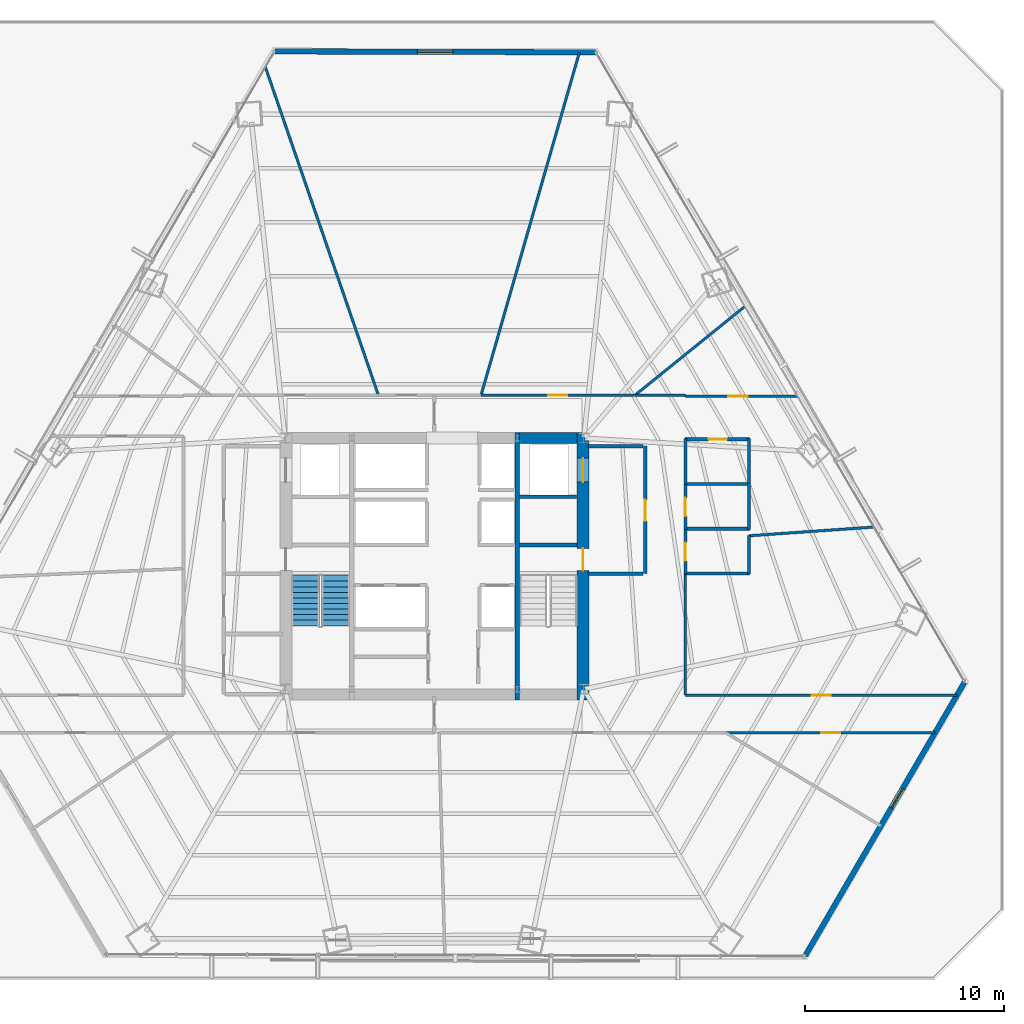
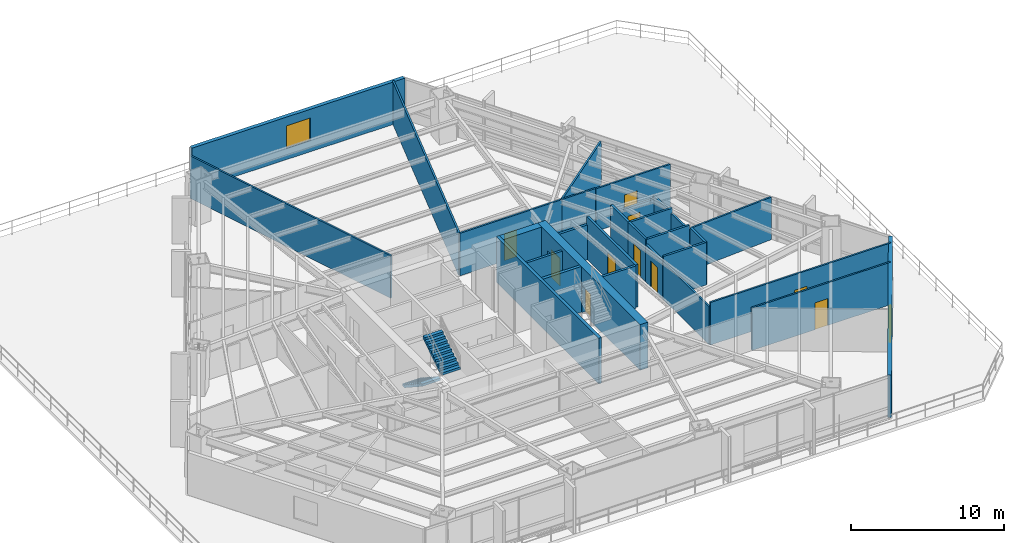
# One storey, part 30 of 35: 30 walls, 11 doors, 2 stair flights, 1 window, 12 openings, 1 element without a shape of its own.
"""IFC4 building model written with IfcOpenShell, lengths in metres."""

from ifc_helpers import new_model, si_unit, direction, frame, frame_2d, origin, place, context, subcontext, project, spatial, polyline, rectangle, outline, extrude, material, layer, layer_set, type_object, element, fill, aggregate, save


model = new_model("IFC4")

# Units and contexts
model_context = context("Model", 3, precision=1e-05, world=origin(), true_north=direction((0.0, 1.0)))
body_context = subcontext(model_context, "Body", "Model", "MODEL_VIEW")
ifc_project = project(units=[si_unit("LENGTHUNIT", "METRE"), si_unit("AREAUNIT", "SQUARE_METRE"), si_unit("VOLUMEUNIT", "CUBIC_METRE"), si_unit("PLANEANGLEUNIT", "RADIAN"), si_unit("MASSUNIT", "GRAM", prefix="KILO")], contexts=[model_context])

# Site, building, storey
site_placement = place(None, origin())
site = spatial("IfcSite", under=ifc_project, at=site_placement, CompositionType="ELEMENT")
building_placement = place(site_placement, origin())
building = spatial("IfcBuilding", under=site, at=building_placement, Name="Caelisora Broadcast Tower", CompositionType="ELEMENT")
storey_placement = place(building_placement, frame((0.0, 0.0, 27.60009765625)))
storey = spatial("IfcBuildingStorey", under=building, at=storey_placement, Name="L06", CompositionType="ELEMENT", Elevation=27.60009765625)

# Wall, openings, doors
ifc_material_1 = material(Name="Concrete 65 MPa (AS 3600 S65)", Category="concrete")
ifc_layer_1 = layer(ifc_material_1, 0.60009765625, Name="Concrete 65 MPa (AS 3600 S65)")
ifc_layer_set_1 = layer_set([ifc_layer_1], Name="Concrete 65 MPa (AS 3600 S65)")
wall_type_1 = type_object("IfcWallType", Name="CW1", PredefinedType="SHEAR", material=ifc_layer_set_1)
wall_1_placement = place(storey_placement, frame((45.4599609375, 16.85009765625, 0.0), z_axis=(0.0, 0.0, 1.0), x_axis=(0.0, 1.0, 0.0)))
wall_1 = element("IfcWall", 1, at=wall_1_placement, inside=storey, type_object=wall_type_1, Name="L06 core shear wall CW1", PredefinedType="SHEAR", context=body_context, shape_type="SweptSolid", body=[
    extrude(rectangle(XDim=13.4248046875, YDim=0.60009765625, at=frame_2d((6.71240234375, 0.0))), origin(), (0.0, 0.0, 1.0), 3.64990234375),
])
opening_1_placement = place(wall_1_placement, frame((6.5, 0.0, 0.0)))
opening_1 = element("IfcOpeningElement", 2, at=opening_1_placement, cuts=wall_1, Name="Opening FD04", PredefinedType="OPENING", context=body_context, shape_type="SweptSolid", body=[
    extrude(rectangle(XDim=1.1201171875, YDim=2.14990234375, at=frame_2d((0.56005859375, 1.074951171875))), frame((0.0, 0.31201171875, 0.0), z_axis=(0.0, -1.0, 0.0), x_axis=(1.0, 0.0, 0.0)), (0.0, 0.0, 1.0), 0.6240234375),
])
opening_2_placement = place(wall_1_placement, frame((10.949951171875, 0.0, 0.0)))
opening_2 = element("IfcOpeningElement", 3, at=opening_2_placement, cuts=wall_1, Name="Opening LD04", PredefinedType="OPENING", context=body_context, shape_type="SweptSolid", body=[
    extrude(rectangle(XDim=1.199951171875, YDim=2.199951171875, at=frame_2d((0.60009765625, 1.10009765625))), frame((0.0, 0.31201171875, 0.0), z_axis=(0.0, -1.0, 0.0), x_axis=(1.0, 0.0, 0.0)), (0.0, 0.0, 1.0), 0.6240234375),
])
ifc_material_2 = material(Name="Pressurised Fire-Isolated Stair Door", Category="steel")
door_type_1 = type_object("IfcDoorType", Name="FD04", OperationType="NOTDEFINED", PredefinedType="DOOR", material=ifc_material_2)
door_1_placement = place(opening_1_placement, origin())
door_1 = element("IfcDoor", 4, at=door_1_placement, inside=storey, type_object=door_type_1, Name="L06 door FD04 (L06-DR-ST2)", OperationType="SINGLE_SWING_RIGHT", OverallHeight=2.14990234375, OverallWidth=1.1201171875, PredefinedType="DOOR", context=body_context, shape_type="SweptSolid", body=[
    extrude(rectangle(XDim=1.1201171875, YDim=2.14990234375, at=frame_2d((0.56005859375, 1.074951171875))), frame((0.0, 0.02490234375, 0.0), z_axis=(0.0, -1.0, 0.0), x_axis=(1.0, 0.0, 0.0)), (0.0, 0.0, 1.0), 0.050048828125),
])
fill(opening_1, door_1)
ifc_material_3 = material(Name="Emergency Firefighting Lift Sliding Landing Door", Category="steel")
door_type_2 = type_object("IfcDoorType", Name="LD04", OperationType="NOTDEFINED", PredefinedType="DOOR", material=ifc_material_3)
door_2_placement = place(opening_2_placement, origin())
door_2 = element("IfcDoor", 5, at=door_2_placement, inside=storey, type_object=door_type_2, Name="L06 door LD04 (L06-LD-FFL2)", OperationType="SLIDING_TO_RIGHT", OverallHeight=2.199951171875, OverallWidth=1.199951171875, PredefinedType="DOOR", context=body_context, shape_type="SweptSolid", body=[
    extrude(rectangle(XDim=1.199951171875, YDim=2.199951171875, at=frame_2d((0.60009765625, 1.10009765625))), frame((0.0, 0.02490234375, 0.0), z_axis=(0.0, -1.0, 0.0), x_axis=(1.0, 0.0, 0.0)), (0.0, 0.0, 1.0), 0.050048828125),
])
fill(opening_2, door_2)

# Walls
ifc_layer_2 = layer(ifc_material_1, 0.550048828125, Name="Concrete 65 MPa (AS 3600 S65)")
ifc_layer_set_2 = layer_set([ifc_layer_2], Name="Concrete 65 MPa (AS 3600 S65)")
wall_type_2 = type_object("IfcWallType", Name="CW4", PredefinedType="SHEAR", material=ifc_layer_set_2)
wall_2_placement = place(storey_placement, frame((42.260009765625, 30.0, 0.0), z_axis=(0.0, 0.0, 1.0), x_axis=(1.0, 0.0, 0.0)))
element("IfcWall", 6, at=wall_2_placement, inside=storey, type_object=wall_type_2, Name="L06 core shear wall CW4", PredefinedType="SHEAR", context=body_context, shape_type="SweptSolid", body=[
    extrude(rectangle(XDim=2.89990234375, YDim=0.550048828125, at=frame_2d((1.449951171875, 0.0))), origin(), (0.0, 0.0, 1.0), 3.64990234375),
])
ifc_material_4 = material(Name="Concrete 50 MPa (AS 3600 S50)", Category="concrete")
ifc_layer_3 = layer(ifc_material_4, 0.219970703125, Name="Concrete 50 MPa (AS 3600 S50)")
ifc_layer_set_3 = layer_set([ifc_layer_3], Name="Concrete 50 MPa (AS 3600 S50)")
wall_type_3 = type_object("IfcWallType", Name="CW7", PredefinedType="SHEAR", material=ifc_layer_set_3)
wall_3_placement = place(storey_placement, frame((42.14990234375, 16.85009765625, 0.0), z_axis=(0.0, 0.0, 1.0), x_axis=(0.0, 1.0, 0.0)))
element("IfcWall", 7, at=wall_3_placement, inside=storey, type_object=wall_type_3, Name="L06 core shear wall CW7", PredefinedType="SHEAR", context=body_context, shape_type="SweptSolid", body=[
    extrude(rectangle(XDim=13.4248046875, YDim=0.219970703125, at=frame_2d((6.71240234375, 0.0))), origin(), (0.0, 0.0, 1.0), 3.64990234375),
])
wall_4_placement = place(storey_placement, frame((42.260009765625, 24.639892578125, 0.0), z_axis=(0.0, 0.0, 1.0), x_axis=(1.0, 0.0, 0.0)))
element("IfcWall", 8, at=wall_4_placement, inside=storey, type_object=wall_type_3, Name="L06 core shear wall CW7", PredefinedType="SHEAR", context=body_context, shape_type="SweptSolid", body=[
    extrude(rectangle(XDim=2.89990234375, YDim=0.219970703125, at=frame_2d((1.449951171875, 0.0))), origin(), (0.0, 0.0, 1.0), 3.64990234375),
])

# Wall, opening, door
ifc_material_5 = material(Name="Insulated Terracotta Spandrel Wall System", Category="masonry")
ifc_layer_4 = layer(ifc_material_5, 0.280029296875, Name="Insulated Terracotta Spandrel Wall System")
ifc_layer_set_4 = layer_set([ifc_layer_4], Name="Insulated Terracotta Spandrel Wall System")
wall_type_4 = type_object("IfcWallType", Name="EW1", PredefinedType="STANDARD", material=ifc_layer_set_4)
wall_5_placement = place(storey_placement, frame((64.620849609375, 17.7412109375, 0.0), z_axis=(0.0, 0.0, 1.0), x_axis=(-0.503266117349, -0.864131480233, 0.0)))
wall_5 = element("IfcWall", 9, at=wall_5_placement, inside=storey, type_object=wall_type_4, Name="L06 exterior envelope wall EW1", PredefinedType="STANDARD", context=body_context, shape_type="SweptSolid", body=[
    extrude(rectangle(XDim=15.887939453125, YDim=0.280029296875, at=frame_2d((7.94384765625, 0.0))), origin(), (0.0, 0.0, 1.0), 3.39990234375),
])
opening_3_placement = place(wall_5_placement, frame((6.18994140625, 0.0, 0.0)))
opening_3 = element("IfcOpeningElement", 10, at=opening_3_placement, cuts=wall_5, Name="Opening D04", PredefinedType="OPENING", context=body_context, shape_type="SweptSolid", body=[
    extrude(rectangle(XDim=1.10009765625, YDim=2.199951171875, at=frame_2d((0.550048828125, 1.10009765625))), frame((0.0, 0.152099609375, 0.0), z_axis=(0.0, -1.0, 0.0), x_axis=(1.0, 0.0, 0.0)), (0.0, 0.0, 1.0), 0.303955078125),
])
ifc_material_6 = material(Name="Aluminium Framed Double-Glazed Terrace Door", Category="aluminium")
door_type_3 = type_object("IfcDoorType", Name="D04", OperationType="NOTDEFINED", PredefinedType="DOOR", material=ifc_material_6)
door_3_placement = place(opening_3_placement, origin())
door_3 = element("IfcDoor", 11, at=door_3_placement, inside=storey, type_object=door_type_3, Name="L06 door D04 (L06-DR-TER1)", OperationType="SINGLE_SWING_LEFT", OverallHeight=2.199951171875, OverallWidth=1.10009765625, PredefinedType="DOOR", context=body_context, shape_type="SweptSolid", body=[
    extrude(rectangle(XDim=1.10009765625, YDim=2.199951171875, at=frame_2d((0.550048828125, 1.10009765625))), frame((0.0, 0.02490234375, 0.0), z_axis=(0.0, -1.0, 0.0), x_axis=(1.0, 0.0, 0.0)), (0.0, 0.0, 1.0), 0.050048828125),
])
fill(opening_3, door_3)

# Wall, opening, window
wall_6_placement = place(storey_placement, frame((30.0, 49.42578125, 0.0), z_axis=(0.0, 0.0, 1.0), x_axis=(0.999996469255, -0.002657343894, 0.0)))
wall_6 = element("IfcWall", 12, at=wall_6_placement, inside=storey, type_object=wall_type_4, Name="L06 exterior envelope wall EW1", PredefinedType="STANDARD", context=body_context, shape_type="SweptSolid", body=[
    extrude(rectangle(XDim=16.077880859375, YDim=0.280029296875, at=frame_2d((8.0390625, 0.0))), origin(), (0.0, 0.0, 1.0), 3.39990234375),
])
opening_4_placement = place(wall_6_placement, frame((7.139892578125, 0.0, 0.89990234375)))
opening_4 = element("IfcOpeningElement", 13, at=opening_4_placement, cuts=wall_6, Name="Opening W01", PredefinedType="OPENING", context=body_context, shape_type="SweptSolid", body=[
    extrude(rectangle(XDim=1.800048828125, YDim=1.800048828125, at=frame_2d((0.89990234375, 0.89990234375))), frame((0.0, 0.152099609375, 0.0), z_axis=(0.0, -1.0, 0.0), x_axis=(1.0, 0.0, 0.0)), (0.0, 0.0, 1.0), 0.303955078125),
])
ifc_material_7 = material(Name="Double Glazed Terracotta-Framed Vision Window", Category="glass")
window_type = type_object("IfcWindowType", Name="W01", PartitioningType="SINGLE_PANEL", PredefinedType="WINDOW", material=ifc_material_7)
window_placement = place(opening_4_placement, origin())
window = element("IfcWindow", 14, at=window_placement, inside=storey, type_object=window_type, Name="L06 window W01 (L06-WN-CH8)", OverallHeight=1.800048828125, OverallWidth=1.800048828125, PartitioningType="SINGLE_PANEL", PredefinedType="WINDOW", context=body_context, shape_type="SweptSolid", body=[
    extrude(rectangle(XDim=1.800048828125, YDim=1.800048828125, at=frame_2d((0.89990234375, 0.89990234375))), frame((0.0, 0.030029296875, 0.0), z_axis=(0.0, -1.0, 0.0), x_axis=(1.0, 0.0, 0.0)), (0.0, 0.0, 1.0), 0.06005859375),
])
fill(opening_4, window)

# Wall, opening, door
ifc_material_8 = material(Name="Fire-Rated Gypsum Shaft and Compartment Wall", Category="gypsum")
ifc_layer_5 = layer(ifc_material_8, 0.179931640625, Name="Fire-Rated Gypsum Shaft and Compartment Wall")
ifc_layer_set_5 = layer_set([ifc_layer_5], Name="Fire-Rated Gypsum Shaft and Compartment Wall")
wall_type_5 = type_object("IfcWallType", Name="PW2", PredefinedType="PARTITIONING", material=ifc_layer_set_5)
wall_7_placement = place(storey_placement, frame((48.580078125, 23.199951171875, 0.0), z_axis=(0.0, 0.0, 1.0), x_axis=(0.0, 1.0, 0.0)))
wall_7 = element("IfcWall", 15, at=wall_7_placement, inside=storey, type_object=wall_type_5, Name="L06 fire compartment wall PW2", PredefinedType="PARTITIONING", context=body_context, shape_type="SweptSolid", body=[
    extrude(rectangle(XDim=6.400146484375, YDim=0.179931640625, at=frame_2d((3.2001953125, 0.0))), origin(), (0.0, 0.0, 1.0), 3.39990234375),
])
opening_5_placement = place(wall_7_placement, frame((2.64990234375, 0.0, 0.0)))
opening_5 = element("IfcOpeningElement", 16, at=opening_5_placement, cuts=wall_7, Name="Opening FD02", PredefinedType="OPENING", context=body_context, shape_type="SweptSolid", body=[
    extrude(rectangle(XDim=1.050048828125, YDim=2.14990234375, at=frame_2d((0.52490234375, 1.074951171875))), frame((0.0, 0.10205078125, 0.0), z_axis=(0.0, -1.0, 0.0), x_axis=(1.0, 0.0, 0.0)), (0.0, 0.0, 1.0), 0.203857421875),
])
ifc_material_9 = material(Name="Single-Leaf Steel Fire Lobby Door", Category="steel")
door_type_4 = type_object("IfcDoorType", Name="FD02", OperationType="NOTDEFINED", PredefinedType="DOOR", material=ifc_material_9)
door_4_placement = place(opening_5_placement, origin())
door_4 = element("IfcDoor", 17, at=door_4_placement, inside=storey, type_object=door_type_4, Name="L06 door FD02 (L06-DR-P04D1)", OperationType="SINGLE_SWING_RIGHT", OverallHeight=2.14990234375, OverallWidth=1.050048828125, PredefinedType="DOOR", context=body_context, shape_type="SweptSolid", body=[
    extrude(rectangle(XDim=1.050048828125, YDim=2.14990234375, at=frame_2d((0.52490234375, 1.074951171875))), frame((0.0, 0.02490234375, 0.0), z_axis=(0.0, -1.0, 0.0), x_axis=(1.0, 0.0, 0.0)), (0.0, 0.0, 1.0), 0.050048828125),
])
fill(opening_5, door_4)

# Walls
wall_8_placement = place(storey_placement, frame((45.719970703125, 23.199951171875, 0.0), z_axis=(0.0, 0.0, 1.0), x_axis=(1.0, 0.0, 0.0)))
element("IfcWall", 18, at=wall_8_placement, inside=storey, type_object=wall_type_5, Name="L06 fire compartment wall PW2", PredefinedType="PARTITIONING", context=body_context, shape_type="SweptSolid", body=[
    extrude(rectangle(XDim=2.760009765625, YDim=0.179931640625, at=frame_2d((1.3798828125, 0.0))), origin(), (0.0, 0.0, 1.0), 3.39990234375),
])
wall_9_placement = place(storey_placement, frame((45.719970703125, 29.60009765625, 0.0), z_axis=(0.0, 0.0, 1.0), x_axis=(1.0, 0.0, 0.0)))
element("IfcWall", 19, at=wall_9_placement, inside=storey, type_object=wall_type_5, Name="L06 fire compartment wall PW2", PredefinedType="PARTITIONING", context=body_context, shape_type="SweptSolid", body=[
    extrude(rectangle(XDim=2.760009765625, YDim=0.179931640625, at=frame_2d((1.3798828125, 0.0))), origin(), (0.0, 0.0, 1.0), 2.78271484375),
])
wall_10_placement = place(storey_placement, frame((42.239990234375, 27.070068359375, 0.0), z_axis=(0.0, 0.0, 1.0), x_axis=(1.0, 0.0, 0.0)))
element("IfcWall", 20, at=wall_10_placement, inside=storey, type_object=wall_type_5, Name="L06 fire compartment wall PW2", PredefinedType="PARTITIONING", context=body_context, shape_type="SweptSolid", body=[
    extrude(rectangle(XDim=2.89990234375, YDim=0.179931640625, at=frame_2d((1.449951171875, 0.0))), origin(), (0.0, 0.0, 1.0), 3.39990234375),
])
ifc_material_10 = material(Name="Acoustic Steel-Stud Plasterboard Partition", Category="gypsum")
ifc_layer_6 = layer(ifc_material_10, 0.1298828125, Name="Acoustic Steel-Stud Plasterboard Partition")
ifc_layer_set_6 = layer_set([ifc_layer_6], Name="Acoustic Steel-Stud Plasterboard Partition")
wall_type_6 = type_object("IfcWallType", Name="PW3", PredefinedType="PARTITIONING", material=ifc_layer_set_6)
wall_11_placement = place(storey_placement, frame((40.341064453125, 32.155029296875, 0.0), z_axis=(0.0, 0.0, 1.0), x_axis=(0.275627948864, 0.961264393289, 0.0)))
element("IfcWall", 21, at=wall_11_placement, inside=storey, type_object=wall_type_6, Name="L06 internal partition PW3", PredefinedType="PARTITIONING", context=body_context, shape_type="SweptSolid", body=[
    extrude(rectangle(XDim=17.9189453125, YDim=0.1298828125, at=frame_2d((8.95947265625, 0.0))), origin(), (0.0, 0.0, 1.0), 3.39990234375),
])
wall_12_placement = place(storey_placement, frame((29.510009765625, 48.639892578125, 0.0), z_axis=(0.0, 0.0, 1.0), x_axis=(0.325659673982, -0.945487057945, 0.0)))
element("IfcWall", 22, at=wall_12_placement, inside=storey, type_object=wall_type_6, Name="L06 internal partition PW3", PredefinedType="PARTITIONING", context=body_context, shape_type="SweptSolid", body=[
    extrude(rectangle(XDim=17.435302734375, YDim=0.1298828125, at=frame_2d((8.7177734375, 0.0))), origin(), (0.0, 0.0, 1.0), 3.39990234375),
])

# Wall, opening, door
wall_13_placement = place(storey_placement, frame((64.25, 17.10009765625, 0.0), z_axis=(0.0, 0.0, 1.0), x_axis=(-1.0, 0.0, 0.0)))
wall_13 = element("IfcWall", 23, at=wall_13_placement, inside=storey, type_object=wall_type_6, Name="L06 internal partition PW3", PredefinedType="PARTITIONING", context=body_context, shape_type="SweptSolid", body=[
    extrude(rectangle(XDim=13.64501953125, YDim=0.1298828125, at=frame_2d((6.822509765625, 0.0))), origin(), (0.0, 0.0, 1.0), 3.39990234375),
])
opening_6_placement = place(wall_13_placement, frame((6.343017578125, 0.0, 0.0)))
opening_6 = element("IfcOpeningElement", 24, at=opening_6_placement, cuts=wall_13, Name="Opening D01", PredefinedType="OPENING", context=body_context, shape_type="SweptSolid", body=[
    extrude(rectangle(XDim=0.9599609375, YDim=2.14990234375, at=frame_2d((0.47998046875, 1.074951171875))), frame((0.0, 0.076904296875, 0.0), z_axis=(0.0, -1.0, 0.0), x_axis=(1.0, 0.0, 0.0)), (0.0, 0.0, 1.0), 0.15380859375),
])
ifc_material_11 = material(Name="Solid-Core Timber Acoustic Office Door", Category="wood")
door_type_5 = type_object("IfcDoorType", Name="D01", OperationType="NOTDEFINED", PredefinedType="DOOR", material=ifc_material_11)
door_5_placement = place(opening_6_placement, origin())
door_5 = element("IfcDoor", 25, at=door_5_placement, inside=storey, type_object=door_type_5, Name="L06 door D01 (L06-DR-P30D1)", OperationType="SINGLE_SWING_RIGHT", OverallHeight=2.14990234375, OverallWidth=0.9599609375, PredefinedType="DOOR", context=body_context, shape_type="SweptSolid", body=[
    extrude(rectangle(XDim=0.9599609375, YDim=2.14990234375, at=frame_2d((0.47998046875, 1.074951171875))), frame((0.0, 0.02490234375, 0.0), z_axis=(0.0, -1.0, 0.0), x_axis=(1.0, 0.0, 0.0)), (0.0, 0.0, 1.0), 0.050048828125),
])
fill(opening_6, door_5)

wall_14_placement = place(storey_placement, frame((52.655029296875, 15.199951171875, 0.0), z_axis=(0.0, 0.0, 1.0), x_axis=(1.0, 0.0, 0.0)))
wall_14 = element("IfcWall", 26, at=wall_14_placement, inside=storey, type_object=wall_type_6, Name="L06 internal partition PW3", PredefinedType="PARTITIONING", context=body_context, shape_type="SweptSolid", body=[
    extrude(rectangle(XDim=10.48486328125, YDim=0.1298828125, at=frame_2d((5.242431640625, 0.0))), origin(), (0.0, 0.0, 1.0), 3.39990234375),
])
opening_7_placement = place(wall_14_placement, frame((4.761962890625, 0.0, 0.0)))
opening_7 = element("IfcOpeningElement", 27, at=opening_7_placement, cuts=wall_14, Name="Opening D01", PredefinedType="OPENING", context=body_context, shape_type="SweptSolid", body=[
    extrude(rectangle(XDim=0.9599609375, YDim=2.14990234375, at=frame_2d((0.47998046875, 1.074951171875))), frame((0.0, 0.076904296875, 0.0), z_axis=(0.0, -1.0, 0.0), x_axis=(1.0, 0.0, 0.0)), (0.0, 0.0, 1.0), 0.15380859375),
])
door_6_placement = place(opening_7_placement, origin())
door_6 = element("IfcDoor", 28, at=door_6_placement, inside=storey, type_object=door_type_5, Name="L06 door D01 (L06-DR-P35D1)", OperationType="SINGLE_SWING_LEFT", OverallHeight=2.14990234375, OverallWidth=0.9599609375, PredefinedType="DOOR", context=body_context, shape_type="SweptSolid", body=[
    extrude(rectangle(XDim=0.9599609375, YDim=2.14990234375, at=frame_2d((0.47998046875, 1.074951171875))), frame((0.0, 0.02490234375, 0.0), z_axis=(0.0, -1.0, 0.0), x_axis=(1.0, 0.0, 0.0)), (0.0, 0.0, 1.0), 0.050048828125),
])
fill(opening_7, door_6)

wall_15_placement = place(storey_placement, frame((40.344970703125, 32.14990234375, 0.0), z_axis=(0.0, 0.0, 1.0), x_axis=(1.0, 0.0, 0.0)))
wall_15 = element("IfcWall", 29, at=wall_15_placement, inside=storey, type_object=wall_type_6, Name="L06 internal partition PW3", PredefinedType="PARTITIONING", context=body_context, shape_type="SweptSolid", body=[
    extrude(rectangle(XDim=7.7099609375, YDim=0.1298828125, at=frame_2d((3.85498046875, 0.0))), origin(), (0.0, 0.0, 1.0), 3.39990234375),
])
opening_8_placement = place(wall_15_placement, frame((3.375, 0.0, 0.0)))
opening_8 = element("IfcOpeningElement", 30, at=opening_8_placement, cuts=wall_15, Name="Opening D01", PredefinedType="OPENING", context=body_context, shape_type="SweptSolid", body=[
    extrude(rectangle(XDim=0.9599609375, YDim=2.14990234375, at=frame_2d((0.47998046875, 1.074951171875))), frame((0.0, 0.076904296875, 0.0), z_axis=(0.0, -1.0, 0.0), x_axis=(1.0, 0.0, 0.0)), (0.0, 0.0, 1.0), 0.15380859375),
])
door_7_placement = place(opening_8_placement, origin())
door_7 = element("IfcDoor", 31, at=door_7_placement, inside=storey, type_object=door_type_5, Name="L06 door D01 (L06-DR-P40D1)", OperationType="SINGLE_SWING_RIGHT", OverallHeight=2.14990234375, OverallWidth=0.9599609375, PredefinedType="DOOR", context=body_context, shape_type="SweptSolid", body=[
    extrude(rectangle(XDim=0.9599609375, YDim=2.14990234375, at=frame_2d((0.47998046875, 1.074951171875))), frame((0.0, 0.02490234375, 0.0), z_axis=(0.0, -1.0, 0.0), x_axis=(1.0, 0.0, 0.0)), (0.0, 0.0, 1.0), 0.050048828125),
])
fill(opening_8, door_7)

# Walls
wall_16_placement = place(storey_placement, frame((48.06396484375, 32.153076171875, 0.0), z_axis=(0.0, 0.0, 1.0), x_axis=(0.777691139516, 0.628646555322, 0.0)))
element("IfcWall", 32, at=wall_16_placement, inside=storey, type_object=wall_type_6, Name="L06 internal partition PW3", PredefinedType="PARTITIONING", context=body_context, shape_type="SweptSolid", body=[
    extrude(rectangle(XDim=7.105712890625, YDim=0.1298828125, at=frame_2d((3.552734375, 0.0))), origin(), (0.0, 0.0, 1.0), 3.39990234375),
])
wall_17_placement = place(storey_placement, frame((53.804931640625, 25.10009765625, 0.0), z_axis=(0.0, 0.0, 1.0), x_axis=(0.997551418552, 0.069936881151, 0.0)))
element("IfcWall", 33, at=wall_17_placement, inside=storey, type_object=wall_type_6, Name="L06 internal partition PW3", PredefinedType="PARTITIONING", context=body_context, shape_type="SweptSolid", body=[
    extrude(rectangle(XDim=6.29052734375, YDim=0.1298828125, at=frame_2d((3.145263671875, 0.0))), origin(), (0.0, 0.0, 1.0), 3.39990234375),
])
wall_18_placement = place(storey_placement, frame((50.60009765625, 17.10498046875, 0.0), z_axis=(0.0, 0.0, 1.0), x_axis=(0.0, 1.0, 0.0)))
element("IfcWall", 34, at=wall_18_placement, inside=storey, type_object=wall_type_6, Name="L06 internal partition PW3", PredefinedType="PARTITIONING", context=body_context, shape_type="SweptSolid", body=[
    extrude(rectangle(XDim=6.090087890625, YDim=0.1298828125, at=frame_2d((3.044921875, 0.0))), origin(), (0.0, 0.0, 1.0), 3.0263671875),
])

# Wall, opening, door
wall_19_placement = place(storey_placement, frame((50.60498046875, 32.10009765625, 0.0), z_axis=(0.0, 0.0, 1.0), x_axis=(1.0, 0.0, 0.0)))
wall_19 = element("IfcWall", 35, at=wall_19_placement, inside=storey, type_object=wall_type_6, Name="L06 internal partition PW3", PredefinedType="PARTITIONING", context=body_context, shape_type="SweptSolid", body=[
    extrude(rectangle(XDim=5.635009765625, YDim=0.1298828125, at=frame_2d((2.8173828125, 0.0))), origin(), (0.0, 0.0, 1.0), 3.39990234375),
])
opening_9_placement = place(wall_19_placement, frame((2.159912109375, 0.0, 0.0)))
opening_9 = element("IfcOpeningElement", 36, at=opening_9_placement, cuts=wall_19, Name="Opening D01", PredefinedType="OPENING", context=body_context, shape_type="SweptSolid", body=[
    extrude(rectangle(XDim=0.9599609375, YDim=2.14990234375, at=frame_2d((0.47998046875, 1.074951171875))), frame((0.0, 0.076904296875, 0.0), z_axis=(0.0, -1.0, 0.0), x_axis=(1.0, 0.0, 0.0)), (0.0, 0.0, 1.0), 0.15380859375),
])
door_8_placement = place(opening_9_placement, origin())
door_8 = element("IfcDoor", 37, at=door_8_placement, inside=storey, type_object=door_type_5, Name="L06 door D01 (L06-DR-P49D1)", OperationType="SINGLE_SWING_RIGHT", OverallHeight=2.14990234375, OverallWidth=0.9599609375, PredefinedType="DOOR", context=body_context, shape_type="SweptSolid", body=[
    extrude(rectangle(XDim=0.9599609375, YDim=2.14990234375, at=frame_2d((0.47998046875, 1.074951171875))), frame((0.0, 0.02490234375, 0.0), z_axis=(0.0, -1.0, 0.0), x_axis=(1.0, 0.0, 0.0)), (0.0, 0.0, 1.0), 0.050048828125),
])
fill(opening_9, door_8)

# Walls
wall_20_placement = place(storey_placement, frame((48.06494140625, 32.14990234375, 0.0), z_axis=(0.0, 0.0, 1.0), x_axis=(1.0, 0.0, 0.0)))
element("IfcWall", 38, at=wall_20_placement, inside=storey, type_object=wall_type_6, Name="L06 internal partition PW3", PredefinedType="PARTITIONING", context=body_context, shape_type="SweptSolid", body=[
    extrude(rectangle(XDim=2.530029296875, YDim=0.1298828125, at=frame_2d((1.26513671875, 0.0))), origin(), (0.0, 0.0, 1.0), 3.39990234375),
])
ifc_material_12 = material(Name="Moisture-Resistant Wet Plumbing Service Wall", Category="gypsum")
ifc_layer_7 = layer(ifc_material_12, 0.159912109375, Name="Moisture-Resistant Wet Plumbing Service Wall")
ifc_layer_set_7 = layer_set([ifc_layer_7], Name="Moisture-Resistant Wet Plumbing Service Wall")
wall_type_7 = type_object("IfcWallType", Name="PW4", PredefinedType="PLUMBINGWALL", material=ifc_layer_set_7)
for number, where, z_axis, x_axis, name in (
    (39, (50.574951171875, 23.199951171875, 0.0), (0.0, 0.0, 1.0), (1.0, 0.0, 0.0), "L06 wet plumbing wall PW4"),
    (40, (50.574951171875, 25.449951171875, 0.0), (0.0, 0.0, 1.0), (1.0, 0.0, 0.0), "L06 wet plumbing wall PW4"),
    (41, (50.574951171875, 27.699951171875, 0.0), (0.0, 0.0, 1.0), (1.0, 0.0, 0.0), "L06 wet plumbing wall PW4"),
):
    element("IfcWall", number, at=place(storey_placement, frame(where, z_axis=z_axis, x_axis=x_axis)), inside=storey, type_object=wall_type_7, Name=name, PredefinedType="PLUMBINGWALL", context=body_context, shape_type="SweptSolid", body=[
        extrude(rectangle(XDim=3.25, YDim=0.159912109375, at=frame_2d((1.625, 0.0))), origin(), (0.0, 0.0, 1.0), 3.39990234375),
    ])

# Wall, opening, door
wall_21_placement = place(storey_placement, frame((53.824951171875, 29.949951171875, 0.0), z_axis=(0.0, 0.0, 1.0), x_axis=(-1.0, 0.0, 0.0)))
wall_21 = element("IfcWall", 42, at=wall_21_placement, inside=storey, type_object=wall_type_7, Name="L06 wet plumbing wall PW4", PredefinedType="PLUMBINGWALL", context=body_context, shape_type="SweptSolid", body=[
    extrude(rectangle(XDim=3.25, YDim=0.159912109375, at=frame_2d((1.625, 0.0))), origin(), (0.0, 0.0, 1.0), 2.78271484375),
])
opening_10_placement = place(wall_21_placement, frame((1.135009765625, 0.0, 0.0)))
opening_10 = element("IfcOpeningElement", 43, at=opening_10_placement, cuts=wall_21, Name="Opening D03", PredefinedType="OPENING", context=body_context, shape_type="SweptSolid", body=[
    extrude(rectangle(XDim=0.919921875, YDim=2.10009765625, at=frame_2d((0.4599609375, 1.050048828125))), frame((0.0, 0.092041015625, 0.0), z_axis=(0.0, -1.0, 0.0), x_axis=(1.0, 0.0, 0.0)), (0.0, 0.0, 1.0), 0.183837890625),
])
ifc_material_13 = material(Name="Laminate Moisture-Resistant Amenity WC Door", Category="wood")
door_type_6 = type_object("IfcDoorType", Name="D03", OperationType="NOTDEFINED", PredefinedType="DOOR", material=ifc_material_13)
door_9_placement = place(opening_10_placement, origin())
door_9 = element("IfcDoor", 44, at=door_9_placement, inside=storey, type_object=door_type_6, Name="L06 door D03 (L06-DR-P20D1)", OperationType="SINGLE_SWING_RIGHT", OverallHeight=2.10009765625, OverallWidth=0.919921875, PredefinedType="DOOR", context=body_context, shape_type="SweptSolid", body=[
    extrude(rectangle(XDim=0.919921875, YDim=2.10009765625, at=frame_2d((0.4599609375, 1.050048828125))), frame((0.0, 0.02490234375, 0.0), z_axis=(0.0, -1.0, 0.0), x_axis=(1.0, 0.0, 0.0)), (0.0, 0.0, 1.0), 0.050048828125),
])
fill(opening_10, door_9)

# Wall
wall_22_placement = place(storey_placement, frame((50.60009765625, 27.675048828125, 0.0), z_axis=(0.0, 0.0, 1.0), x_axis=(0.0, 1.0, 0.0)))
element("IfcWall", 45, at=wall_22_placement, inside=storey, type_object=wall_type_7, Name="L06 wet plumbing wall PW4", PredefinedType="PLUMBINGWALL", context=body_context, shape_type="SweptSolid", body=[
    extrude(rectangle(XDim=2.300048828125, YDim=0.159912109375, at=frame_2d((1.14990234375, 0.0))), origin(), (0.0, 0.0, 1.0), 3.39990234375),
])

# Wall, opening, door
wall_23_placement = place(storey_placement, frame((50.60009765625, 25.425048828125, 0.0), z_axis=(0.0, 0.0, 1.0), x_axis=(0.0, 1.0, 0.0)))
wall_23 = element("IfcWall", 46, at=wall_23_placement, inside=storey, type_object=wall_type_7, Name="L06 wet plumbing wall PW4", PredefinedType="PLUMBINGWALL", context=body_context, shape_type="SweptSolid", body=[
    extrude(rectangle(XDim=2.300048828125, YDim=0.159912109375, at=frame_2d((1.14990234375, 0.0))), origin(), (0.0, 0.0, 1.0), 3.39990234375),
])
opening_11_placement = place(wall_23_placement, frame((0.659912109375, 0.0, 0.0)))
opening_11 = element("IfcOpeningElement", 47, at=opening_11_placement, cuts=wall_23, Name="Opening D03", PredefinedType="OPENING", context=body_context, shape_type="SweptSolid", body=[
    extrude(rectangle(XDim=0.919921875, YDim=2.10009765625, at=frame_2d((0.4599609375, 1.050048828125))), frame((0.0, 0.092041015625, 0.0), z_axis=(0.0, -1.0, 0.0), x_axis=(1.0, 0.0, 0.0)), (0.0, 0.0, 1.0), 0.183837890625),
])
door_10_placement = place(opening_11_placement, origin())
door_10 = element("IfcDoor", 48, at=door_10_placement, inside=storey, type_object=door_type_6, Name="L06 door D03 (L06-DR-P22D1)", OperationType="SINGLE_SWING_LEFT", OverallHeight=2.10009765625, OverallWidth=0.919921875, PredefinedType="DOOR", context=body_context, shape_type="SweptSolid", body=[
    extrude(rectangle(XDim=0.919921875, YDim=2.10009765625, at=frame_2d((0.4599609375, 1.050048828125))), frame((0.0, 0.02490234375, 0.0), z_axis=(0.0, -1.0, 0.0), x_axis=(1.0, 0.0, 0.0)), (0.0, 0.0, 1.0), 0.050048828125),
])
fill(opening_11, door_10)

wall_24_placement = place(storey_placement, frame((50.60009765625, 23.175048828125, 0.0), z_axis=(0.0, 0.0, 1.0), x_axis=(0.0, 1.0, 0.0)))
wall_24 = element("IfcWall", 49, at=wall_24_placement, inside=storey, type_object=wall_type_7, Name="L06 wet plumbing wall PW4", PredefinedType="PLUMBINGWALL", context=body_context, shape_type="SweptSolid", body=[
    extrude(rectangle(XDim=2.300048828125, YDim=0.159912109375, at=frame_2d((1.14990234375, 0.0))), origin(), (0.0, 0.0, 1.0), 3.0263671875),
])
opening_12_placement = place(wall_24_placement, frame((0.659912109375, 0.0, 0.0)))
opening_12 = element("IfcOpeningElement", 50, at=opening_12_placement, cuts=wall_24, Name="Opening D03", PredefinedType="OPENING", context=body_context, shape_type="SweptSolid", body=[
    extrude(rectangle(XDim=0.919921875, YDim=2.10009765625, at=frame_2d((0.4599609375, 1.050048828125))), frame((0.0, 0.092041015625, 0.0), z_axis=(0.0, -1.0, 0.0), x_axis=(1.0, 0.0, 0.0)), (0.0, 0.0, 1.0), 0.183837890625),
])
door_11_placement = place(opening_12_placement, origin())
door_11 = element("IfcDoor", 51, at=door_11_placement, inside=storey, type_object=door_type_6, Name="L06 door D03 (L06-DR-P23D1)", OperationType="SINGLE_SWING_RIGHT", OverallHeight=2.10009765625, OverallWidth=0.919921875, PredefinedType="DOOR", context=body_context, shape_type="SweptSolid", body=[
    extrude(rectangle(XDim=0.919921875, YDim=2.10009765625, at=frame_2d((0.4599609375, 1.050048828125))), frame((0.0, 0.02490234375, 0.0), z_axis=(0.0, -1.0, 0.0), x_axis=(1.0, 0.0, 0.0)), (0.0, 0.0, 1.0), 0.050048828125),
])
fill(opening_12, door_11)

# Walls
for number, where, z_axis, x_axis, name in (
    (52, (53.800048828125, 25.425048828125, 0.0), (0.0, 0.0, 1.0), (0.0, 1.0, 0.0), "L06 wet plumbing wall PW4"),
    (53, (53.800048828125, 27.675048828125, 0.0), (0.0, 0.0, 1.0), (0.0, 1.0, 0.0), "L06 wet plumbing wall PW4"),
):
    element("IfcWall", number, at=place(storey_placement, frame(where, z_axis=z_axis, x_axis=x_axis)), inside=storey, type_object=wall_type_7, Name=name, PredefinedType="PLUMBINGWALL", context=body_context, shape_type="SweptSolid", body=[
        extrude(rectangle(XDim=2.300048828125, YDim=0.159912109375, at=frame_2d((1.14990234375, 0.0))), origin(), (0.0, 0.0, 1.0), 3.0263671875),
    ])
wall_25_placement = place(storey_placement, frame((53.800048828125, 23.175048828125, 0.0), z_axis=(0.0, 0.0, 1.0), x_axis=(0.0, 1.0, 0.0)))
element("IfcWall", 54, at=wall_25_placement, inside=storey, type_object=wall_type_7, Name="L06 wet plumbing wall PW4", PredefinedType="PLUMBINGWALL", context=body_context, shape_type="SweptSolid", body=[
    extrude(rectangle(XDim=1.949951171875, YDim=0.159912109375, at=frame_2d((0.97509765625, 0.0))), origin(), (0.0, 0.0, 1.0), 3.39990234375),
])

# Stair, stair flights
ifc_material_14 = material(Name="Concrete 40 MPa (AS 3600 N40)", Category="concrete")
stair_type = type_object("IfcStairType", Name="ST-1", PredefinedType="HALF_TURN_STAIR", material=ifc_material_14)
stair_placement = place(storey_placement, origin())
stair = element("IfcStair", 55, at=stair_placement, inside=storey, type_object=stair_type, Name="L06 West Fire-Isolated Tower Stair", PredefinedType="HALF_TURN_STAIR")
stair_flight_type = type_object("IfcStairFlightType", Name="STF-2", PredefinedType="STRAIGHT", material=ifc_material_14)
stair_flight_1_placement = place(storey_placement, frame((31.52001953125, 23.10009765625, 0.0), z_axis=(0.0, 0.0, 1.0), x_axis=(0.0, -1.0, 0.0)))
stair_flight_1 = element("IfcStairFlight", 56, at=stair_flight_1_placement, type_object=stair_flight_type, Name="ST-1 flight 1", NumberOfRisers=10, NumberOfTreads=9, PredefinedType="STRAIGHT", RiserHeight=0.1825, TreadLength=0.28, context=body_context, shape_type="SweptSolid", body=[
    extrude(outline(polyline([(0.0, 0.0), (0.0, 0.1826171875), (0.280029296875, 0.1826171875), (0.280029296875, 0.364990234375), (0.56005859375, 0.364990234375), (0.56005859375, 0.547607421875), (0.840087890625, 0.547607421875), (0.840087890625, 0.72998046875), (1.1201171875, 0.72998046875), (1.1201171875, 0.91259765625), (1.39990234375, 0.91259765625), (1.39990234375, 1.094970703125), (1.679931640625, 1.094970703125), (1.679931640625, 1.277587890625), (1.9599609375, 1.277587890625), (1.9599609375, 1.4599609375), (2.239990234375, 1.4599609375), (2.239990234375, 1.642578125), (2.52001953125, 1.642578125), (2.52001953125, 1.824951171875), (2.52001953125, 1.463623046875), (0.2744140625, 0.0), (0.0, 0.0)])), frame((0.0, 0.699951171875, 0.0), z_axis=(0.0, -1.0, 0.0), x_axis=(1.0, 0.0, 0.0)), (0.0, 0.0, 1.0), 1.39990234375),
])
stair_flight_2_placement = place(storey_placement, frame((33.0400390625, 20.580078125, 1.824951171875), z_axis=(0.0, 0.0, 1.0), x_axis=(0.0, 1.0, 0.0)))
stair_flight_2 = element("IfcStairFlight", 57, at=stair_flight_2_placement, type_object=stair_flight_type, Name="ST-1 flight 2", NumberOfRisers=10, NumberOfTreads=9, PredefinedType="STRAIGHT", RiserHeight=0.1825, TreadLength=0.28, context=body_context, shape_type="SweptSolid", body=[
    extrude(outline(polyline([(0.0, 0.0), (0.0, 0.1826171875), (0.280029296875, 0.1826171875), (0.280029296875, 0.364990234375), (0.56005859375, 0.364990234375), (0.56005859375, 0.547607421875), (0.840087890625, 0.547607421875), (0.840087890625, 0.72998046875), (1.1201171875, 0.72998046875), (1.1201171875, 0.91259765625), (1.39990234375, 0.91259765625), (1.39990234375, 1.094970703125), (1.679931640625, 1.094970703125), (1.679931640625, 1.277587890625), (1.9599609375, 1.277587890625), (1.9599609375, 1.4599609375), (2.239990234375, 1.4599609375), (2.239990234375, 1.642578125), (2.52001953125, 1.642578125), (2.52001953125, 1.824951171875), (2.52001953125, 1.463623046875), (0.2744140625, 0.0), (0.0, 0.0)])), frame((0.0, 0.699951171875, 0.0), z_axis=(0.0, -1.0, 0.0), x_axis=(1.0, 0.0, 0.0)), (0.0, 0.0, 1.0), 1.39990234375),
])
aggregate(stair, [stair_flight_1, stair_flight_2])

save(model, "model.ifc")
